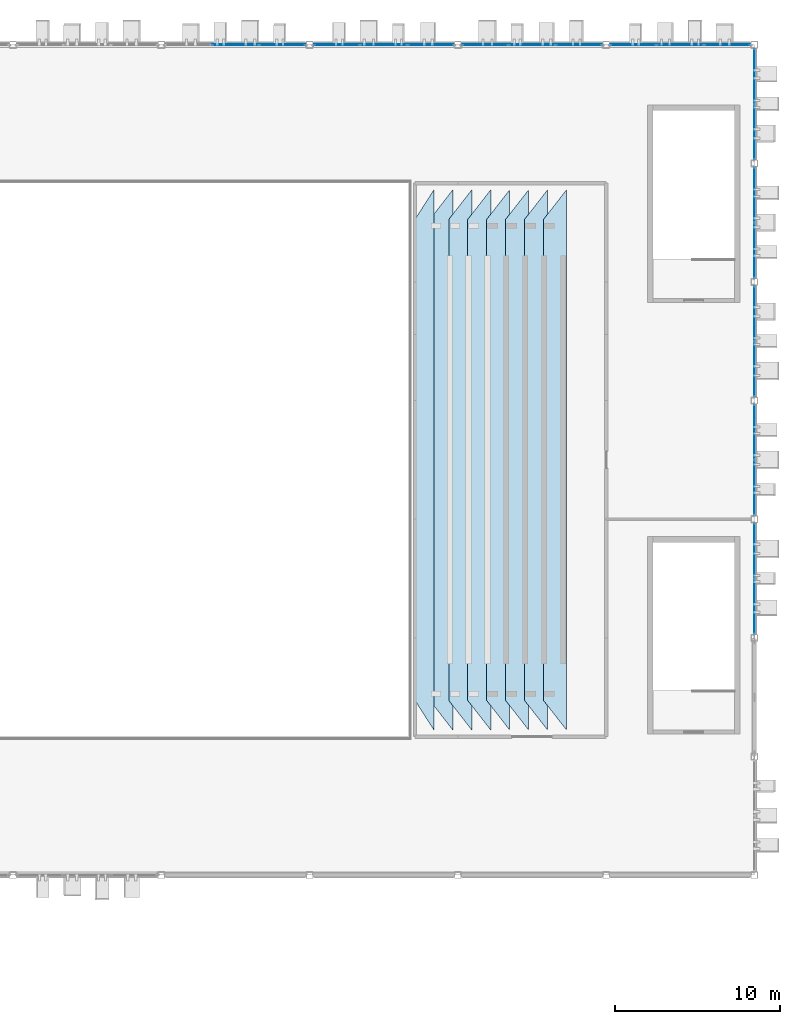
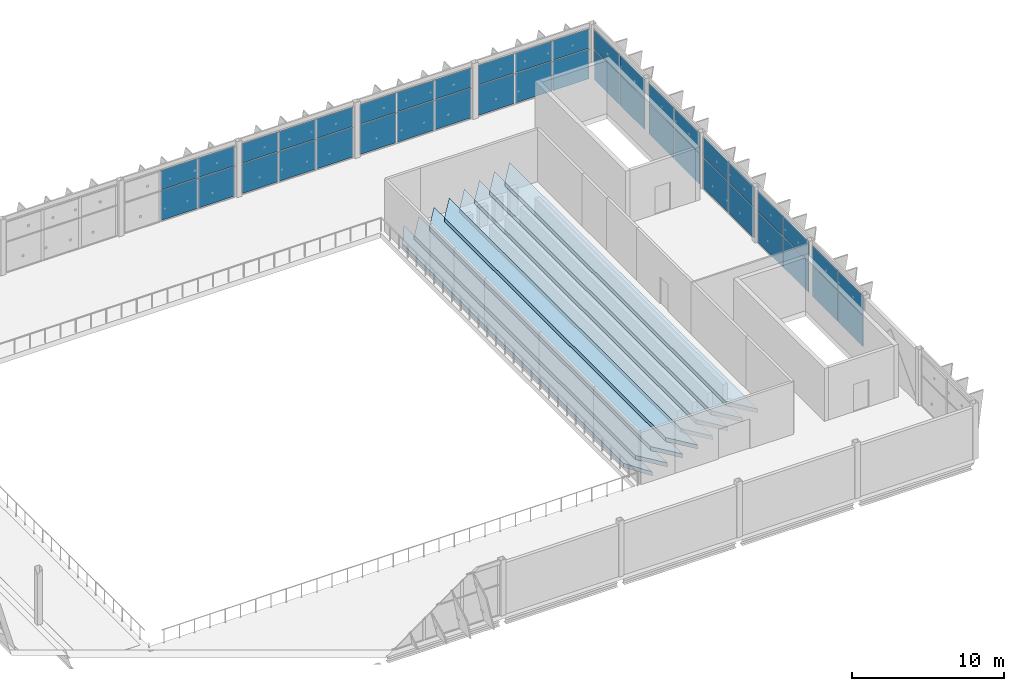
# One storey, part 93 of 151: 42 plates, 8 slabs, 9 elements without a shape of their own.
"""IFC4 building model written with IfcOpenShell, lengths in metres."""

import ifcopenshell
import ifcopenshell.guid

model = None  # the IFC model being written
_history = None  # IfcOwnerHistory: only IFC2X3 demands one
_inside = {}  # id of a spatial element -> (the spatial element, [elements in it])
_under = {}  # id of a project, library or spatial element -> (it, [spatial elements below it])
_declared = {}  # id of a project -> (the project, [libraries it declares])
_typed = {}  # id of a type object -> (the type object, [elements of that type])
_made_of = {}  # id of a material, layer set ... -> (it, [elements and type objects made of it])


def new_model(schema):
    """Start an empty IFC model of exactly this schema.

    Asked for "IFC4X3", IfcOpenShell would pick the latest addendum, in which some entities
    have other attributes; the version numbers below select the first issue.
    IFC2X3 requires an IfcOwnerHistory on every rooted entity: one is made here for all.
    """
    global model, _history
    if schema == "IFC4X3":
        model = ifcopenshell.file(schema_version=(4, 3, 0, 0))
    else:
        model = ifcopenshell.file(schema=schema)
    _inside.clear()
    _under.clear()
    _declared.clear()
    _typed.clear()
    _made_of.clear()
    _history = None
    if model.schema == "IFC2X3":
        org = make("IfcOrganization", Name="unknown")
        user = make(
            "IfcPersonAndOrganization",
            ThePerson=make("IfcPerson", FamilyName="unknown"),
            TheOrganization=org,
        )
        app = make(
            "IfcApplication",
            ApplicationDeveloper=org,
            Version="unknown",
            ApplicationFullName="unknown",
            ApplicationIdentifier="unknown",
        )
        _history = make(
            "IfcOwnerHistory",
            OwningUser=user,
            OwningApplication=app,
            ChangeAction="ADDED",
            CreationDate=0,
        )
    return model


def make(cls, **values):
    """One entity of the class cls with the attributes given. An attribute that is None is left unset."""
    return model.create_entity(
        cls, **{name: value for name, value in values.items() if value is not None}
    )


def rooted(cls, **values):
    """An entity with a GlobalId (a new one), such as an element, a storey or a relation."""
    return make(cls, GlobalId=ifcopenshell.guid.new(), OwnerHistory=_history, **values)


def si_unit(unit_type, name, prefix=None):
    """IfcSIUnit, for example si_unit("LENGTHUNIT", "METRE", prefix="MILLI")."""
    return make("IfcSIUnit", UnitType=unit_type, Prefix=prefix, Name=name)


def assignment(units):
    """IfcUnitAssignment: the units of a project."""
    return None if units is None else make("IfcUnitAssignment", Units=units)


def point(xyz):
    """IfcCartesianPoint."""
    return None if xyz is None else make("IfcCartesianPoint", Coordinates=xyz)


def direction(xyz):
    """IfcDirection."""
    return None if xyz is None else make("IfcDirection", DirectionRatios=xyz)


def frame(location, z_axis=None, x_axis=None):
    """IfcAxis2Placement3D, a coordinate frame: its origin and axes. An axis left out is left unset."""
    return make(
        "IfcAxis2Placement3D",
        Location=point(location),
        Axis=direction(z_axis),
        RefDirection=direction(x_axis),
    )


def frame_2d(location, x_axis=None):
    """IfcAxis2Placement2D, a coordinate frame in the plane: its origin and x axis."""
    return make(
        "IfcAxis2Placement2D", Location=point(location), RefDirection=direction(x_axis)
    )


def origin():
    """The frame at (0, 0, 0) with its axes left unset."""
    return frame((0.0, 0.0, 0.0))


def origin_2d():
    """The frame at (0, 0) in the plane with its x axis left unset."""
    return frame_2d((0.0, 0.0))


def place(relative_to, where):
    """IfcLocalPlacement: puts the frame where relative to a parent placement (None: the world)."""
    return make(
        "IfcLocalPlacement", PlacementRelTo=relative_to, RelativePlacement=where
    )


def context(
    kind, dimensions, precision=None, world=None, true_north=None, identifier=None
):
    """IfcGeometricRepresentationContext, for example the 3D "Model" context."""
    return make(
        "IfcGeometricRepresentationContext",
        ContextIdentifier=identifier,
        ContextType=kind,
        CoordinateSpaceDimension=dimensions,
        Precision=precision,
        WorldCoordinateSystem=world,
        TrueNorth=true_north,
    )


def subcontext(parent, identifier, kind, view, scale=None):
    """IfcGeometricRepresentationSubContext, for example "Body" below "Model"."""
    return make(
        "IfcGeometricRepresentationSubContext",
        ContextIdentifier=identifier,
        ContextType=kind,
        ParentContext=parent,
        TargetScale=scale,
        TargetView=view,
    )


def project(units=None, contexts=None):
    """IfcProject with its units and contexts."""
    return rooted(
        "IfcProject",
        Name="project",
        RepresentationContexts=contexts,
        UnitsInContext=assignment(units),
    )


def spatial(cls, under=None, at=None, **own):
    """A site, building, storey or space (cls), placed at a placement, below another one or the project."""
    s = rooted(cls, ObjectPlacement=at, **own)
    if under is not None:
        _under.setdefault(under.id(), (under, []))[1].append(s)
    return s


def polyline(points):
    """IfcPolyline through the points."""
    return make("IfcPolyline", Points=[point(p) for p in points])


def profile(cls, at=None, kind="AREA", **sizes):
    """A parametric profile (cls). Its sizes go by their IFC names, for example OverallWidth=200.0."""
    return make(cls, ProfileType=kind, Position=at, **sizes)


def rectangle(**sizes):
    """IfcRectangleProfileDef."""
    return profile("IfcRectangleProfileDef", **sizes)


def outline(outer, holes=None, kind="AREA"):
    """IfcArbitraryClosedProfileDef: a profile drawn as a closed curve; with holes, ...WithVoids."""
    if holes is None:
        return make("IfcArbitraryClosedProfileDef", ProfileType=kind, OuterCurve=outer)
    return make(
        "IfcArbitraryProfileDefWithVoids",
        ProfileType=kind,
        OuterCurve=outer,
        InnerCurves=holes,
    )


def extrude(swept, where, along, depth):
    """IfcExtrudedAreaSolid: the profile swept, set in the frame where, extruded along a direction by depth."""
    return make(
        "IfcExtrudedAreaSolid",
        SweptArea=swept,
        Position=where,
        ExtrudedDirection=direction(along),
        Depth=depth,
    )


def shape(context_of_items, identifier, shape_type, items):
    """IfcShapeRepresentation: the items that make up one representation, for example the "Body"."""
    return make(
        "IfcShapeRepresentation",
        ContextOfItems=context_of_items,
        RepresentationIdentifier=identifier,
        RepresentationType=shape_type,
        Items=items,
    )


def material(Name=None, Category=None):
    """IfcMaterial."""
    return make("IfcMaterial", Name=Name, Category=Category)


def layer(
    of_material, thickness, ventilated=None, Name=None, Category=None, Priority=None
):
    """IfcMaterialLayer: one layer of a wall or slab, of a material (None: an air gap)."""
    return make(
        "IfcMaterialLayer",
        Material=of_material,
        LayerThickness=thickness,
        IsVentilated=ventilated,
        Name=Name,
        Category=Category,
        Priority=Priority,
    )


def layer_set(layers, Name=None):
    """IfcMaterialLayerSet."""
    return make("IfcMaterialLayerSet", MaterialLayers=layers, LayerSetName=Name)


def made_of(thing, what):
    """Note that an element or type object is made of a material, layer set ...; save() writes the relation."""
    if what is not None:
        _made_of.setdefault(what.id(), (what, []))[1].append(thing)
    return thing


def type_object(cls, material=None, **own):
    """A type object (cls), such as IfcWallType, which elements share."""
    return made_of(rooted(cls, **own), material)


def element(
    cls,
    number,
    at=None,
    inside=None,
    cuts=None,
    type_object=None,
    material=None,
    context=None,
    identifier="Body",
    shape_type=None,
    held_by="IfcProductDefinitionShape",
    body=None,
    shapes=None,
    **own,
):
    """One element of the class cls, such as IfcWall. Its Tag is "e" and its number.

    at: its placement. inside: the storey or other place that contains it. cuts: it is an
    opening in that element (IfcRelVoidsElement). A single representation is given by context,
    identifier, shape_type and body (its items); several are given by shapes. held_by: the class
    of the entity that holds the representations. save() writes the other relations.
    """
    e = rooted(cls, Tag="e%d" % number, ObjectPlacement=at, **own)
    if body is not None:
        shapes = [shape(context, identifier, shape_type, body)]
    if shapes is not None:
        e.Representation = make(held_by, Representations=shapes)
    if inside is not None:
        _inside.setdefault(inside.id(), (inside, []))[1].append(e)
    if cuts is not None:
        rooted(
            "IfcRelVoidsElement", RelatingBuildingElement=cuts, RelatedOpeningElement=e
        )
    if type_object is not None:
        _typed.setdefault(type_object.id(), (type_object, []))[1].append(e)
    return made_of(e, material)


def aggregate(whole, parts):
    """IfcRelAggregates: a whole, such as a stair, and the parts it consists of."""
    return rooted("IfcRelAggregates", RelatingObject=whole, RelatedObjects=parts)


def save(model, path):
    """Write the relations noted so far, then the file.

    IfcRelAggregates (storeys below a building ...), IfcRelContainedInSpatialStructure (elements
    in a storey), IfcRelDefinesByType, IfcRelAssociatesMaterial and IfcRelDeclares: one each for
    every whole, place, type object, material and project.
    """
    for whole, parts in _under.values():
        aggregate(whole, parts)
    for where, things in _inside.values():
        rooted(
            "IfcRelContainedInSpatialStructure",
            RelatedElements=things,
            RelatingStructure=where,
        )
    for kind, things in _typed.values():
        rooted("IfcRelDefinesByType", RelatedObjects=things, RelatingType=kind)
    for what, things in _made_of.values():
        rooted("IfcRelAssociatesMaterial", RelatedObjects=things, RelatingMaterial=what)
    for by, libraries in _declared.values():
        rooted("IfcRelDeclares", RelatingContext=by, RelatedDefinitions=libraries)
    model.write(path)


model = new_model("IFC4")

# Units and contexts
model_context = context("Model", 3, precision=1e-05, world=origin(), true_north=direction((0.0, 1.0)))
body_context = subcontext(model_context, "Body", "Model", "MODEL_VIEW")
ifc_project = project(units=[si_unit("LENGTHUNIT", "METRE"), si_unit("AREAUNIT", "SQUARE_METRE"), si_unit("VOLUMEUNIT", "CUBIC_METRE"), si_unit("PLANEANGLEUNIT", "RADIAN"), si_unit("MASSUNIT", "GRAM", prefix="KILO")], contexts=[model_context])

# Site, building, storey
site_placement = place(None, origin())
site = spatial("IfcSite", under=ifc_project, at=site_placement, CompositionType="ELEMENT")
building_placement = place(site_placement, origin())
building = spatial("IfcBuilding", under=site, at=building_placement, Name="Celestram Park Convention Centre", CompositionType="ELEMENT")
storey_placement = place(building_placement, frame((0.0, 0.0, 10.800048828125)))
storey = spatial("IfcBuildingStorey", under=building, at=storey_placement, Name="L02", CompositionType="ELEMENT", Elevation=10.800048828125)

# Curtain wall, plates
ifc_material_1 = material(Name="Anodised Aluminium Alloy 6063-T6", Category="aluminium")
ifc_layer_1 = layer(ifc_material_1, 0.179931640625)
ifc_layer_set_1 = layer_set([ifc_layer_1], Name="Anodised Aluminium Alloy 6063-T6")
curtain_wall_type_1 = type_object("IfcCurtainWallType", Name="ARC-CW-680X414", PredefinedType="NOTDEFINED", material=ifc_layer_set_1)
curtain_wall_1_placement = place(storey_placement, origin())
curtain_wall_1 = element("IfcCurtainWall", 1, at=curtain_wall_1_placement, inside=storey, type_object=curtain_wall_type_1, Name="Unitised curtain wall CU-L02-170", PredefinedType="NOTDEFINED")
ifc_material_2 = material(Name="Insulated Glazing Unit 28 mm", Category="glass")
ifc_layer_2 = layer(ifc_material_2, 0.028076171875)
ifc_layer_set_2 = layer_set([ifc_layer_2], Name="Insulated Glazing Unit 28 mm")
plate_type_1 = type_object("IfcPlateType", Name="ARC-CWP-IGU28", PredefinedType="CURTAIN_PANEL", material=ifc_layer_set_2)
plate_1_placement = place(storey_placement, frame((216.0, 163.684814453125, 0.06005859375), z_axis=(0.0, 0.0, 1.0), x_axis=(0.0, -1.0, 0.0)))
plate_1 = element("IfcPlate", 2, at=plate_1_placement, type_object=plate_type_1, Name="CW-68X41 panel 1.1", PredefinedType="CURTAIN_PANEL", context=body_context, shape_type="SweptSolid", body=[
    extrude(rectangle(XDim=3.304443359375, YDim=0.028076171875, at=origin_2d()), origin(), (0.0, 0.0, 1.0), 2.39599609375),
])
plate_2_placement = place(storey_placement, frame((216.0, 163.684814453125, 2.51611328125), z_axis=(0.0, 0.0, 1.0), x_axis=(0.0, -1.0, 0.0)))
plate_2 = element("IfcPlate", 3, at=plate_2_placement, type_object=plate_type_1, Name="CW-68X41 panel 1.2", PredefinedType="CURTAIN_PANEL", context=body_context, shape_type="SweptSolid", body=[
    extrude(rectangle(XDim=3.304443359375, YDim=0.028076171875, at=origin_2d()), origin(), (0.0, 0.0, 1.0), 1.568115234375),
])
plate_3_placement = place(storey_placement, frame((216.0, 160.315185546875, 0.06005859375), z_axis=(0.0, 0.0, 1.0), x_axis=(0.0, -1.0, 0.0)))
plate_3 = element("IfcPlate", 4, at=plate_3_placement, type_object=plate_type_1, Name="CW-68X41 panel 2.1", PredefinedType="CURTAIN_PANEL", context=body_context, shape_type="SweptSolid", body=[
    extrude(rectangle(XDim=3.304443359375, YDim=0.028076171875, at=origin_2d()), origin(), (0.0, 0.0, 1.0), 2.39599609375),
])
plate_4_placement = place(storey_placement, frame((216.0, 160.315185546875, 2.51611328125), z_axis=(0.0, 0.0, 1.0), x_axis=(0.0, -1.0, 0.0)))
plate_4 = element("IfcPlate", 5, at=plate_4_placement, type_object=plate_type_1, Name="CW-68X41 panel 2.2", PredefinedType="CURTAIN_PANEL", context=body_context, shape_type="SweptSolid", body=[
    extrude(rectangle(XDim=3.304443359375, YDim=0.028076171875, at=origin_2d()), origin(), (0.0, 0.0, 1.0), 1.568115234375),
])
aggregate(curtain_wall_1, [plate_1, plate_2, plate_3, plate_4])

ifc_layer_3 = layer(ifc_material_1, 0.179931640625)
ifc_layer_set_3 = layer_set([ifc_layer_3], Name="Anodised Aluminium Alloy 6063-T6")
curtain_wall_type_2 = type_object("IfcCurtainWallType", Name="ARC-CW-680X422", PredefinedType="NOTDEFINED", material=ifc_layer_set_3)
curtain_wall_2_placement = place(storey_placement, origin())
curtain_wall_2 = element("IfcCurtainWall", 6, at=curtain_wall_2_placement, inside=storey, type_object=curtain_wall_type_2, Name="Unitised curtain wall CU-L02-171", PredefinedType="NOTDEFINED")
plate_5_placement = place(storey_placement, frame((216.0, 156.48486328125, 0.06005859375), z_axis=(0.0, 0.0, 1.0), x_axis=(0.0, -1.0, 0.0)))
plate_5 = element("IfcPlate", 7, at=plate_5_placement, type_object=plate_type_1, Name="CW-68X42 panel 1.1", PredefinedType="CURTAIN_PANEL", context=body_context, shape_type="SweptSolid", body=[
    extrude(rectangle(XDim=3.304443359375, YDim=0.028076171875, at=origin_2d()), origin(), (0.0, 0.0, 1.0), 2.44189453125),
])
plate_6_placement = place(storey_placement, frame((216.0, 156.48486328125, 2.56201171875), z_axis=(0.0, 0.0, 1.0), x_axis=(0.0, -1.0, 0.0)))
plate_6 = element("IfcPlate", 8, at=plate_6_placement, type_object=plate_type_1, Name="CW-68X42 panel 1.2", PredefinedType="CURTAIN_PANEL", context=body_context, shape_type="SweptSolid", body=[
    extrude(rectangle(XDim=3.304443359375, YDim=0.028076171875, at=origin_2d()), origin(), (0.0, 0.0, 1.0), 1.597900390625),
])
plate_7_placement = place(storey_placement, frame((216.0, 153.115234375, 0.06005859375), z_axis=(0.0, 0.0, 1.0), x_axis=(0.0, -1.0, 0.0)))
plate_7 = element("IfcPlate", 9, at=plate_7_placement, type_object=plate_type_1, Name="CW-68X42 panel 2.1", PredefinedType="CURTAIN_PANEL", context=body_context, shape_type="SweptSolid", body=[
    extrude(rectangle(XDim=3.304443359375, YDim=0.028076171875, at=origin_2d()), origin(), (0.0, 0.0, 1.0), 2.44189453125),
])
plate_8_placement = place(storey_placement, frame((216.0, 153.115234375, 2.56201171875), z_axis=(0.0, 0.0, 1.0), x_axis=(0.0, -1.0, 0.0)))
plate_8 = element("IfcPlate", 10, at=plate_8_placement, type_object=plate_type_1, Name="CW-68X42 panel 2.2", PredefinedType="CURTAIN_PANEL", context=body_context, shape_type="SweptSolid", body=[
    extrude(rectangle(XDim=3.304443359375, YDim=0.028076171875, at=origin_2d()), origin(), (0.0, 0.0, 1.0), 1.597900390625),
])
aggregate(curtain_wall_2, [plate_5, plate_6, plate_7, plate_8])

curtain_wall_3_placement = place(storey_placement, origin())
curtain_wall_3 = element("IfcCurtainWall", 11, at=curtain_wall_3_placement, inside=storey, type_object=curtain_wall_type_2, Name="Unitised curtain wall CU-L02-172", PredefinedType="NOTDEFINED")
plate_9_placement = place(storey_placement, frame((216.0, 149.28466796875, 0.06005859375), z_axis=(0.0, 0.0, 1.0), x_axis=(0.0, -1.0, 0.0)))
plate_9 = element("IfcPlate", 12, at=plate_9_placement, type_object=plate_type_1, Name="CW-68X42 panel 1.1", PredefinedType="CURTAIN_PANEL", context=body_context, shape_type="SweptSolid", body=[
    extrude(rectangle(XDim=3.304443359375, YDim=0.028076171875, at=origin_2d()), origin(), (0.0, 0.0, 1.0), 2.44189453125),
])
plate_10_placement = place(storey_placement, frame((216.0, 149.28466796875, 2.56201171875), z_axis=(0.0, 0.0, 1.0), x_axis=(0.0, -1.0, 0.0)))
plate_10 = element("IfcPlate", 13, at=plate_10_placement, type_object=plate_type_1, Name="CW-68X42 panel 1.2", PredefinedType="CURTAIN_PANEL", context=body_context, shape_type="SweptSolid", body=[
    extrude(rectangle(XDim=3.304443359375, YDim=0.028076171875, at=origin_2d()), origin(), (0.0, 0.0, 1.0), 1.597900390625),
])
plate_11_placement = place(storey_placement, frame((216.0, 145.915283203125, 0.06005859375), z_axis=(0.0, 0.0, 1.0), x_axis=(0.0, -1.0, 0.0)))
plate_11 = element("IfcPlate", 14, at=plate_11_placement, type_object=plate_type_1, Name="CW-68X42 panel 2.1", PredefinedType="CURTAIN_PANEL", context=body_context, shape_type="SweptSolid", body=[
    extrude(rectangle(XDim=3.304443359375, YDim=0.028076171875, at=origin_2d()), origin(), (0.0, 0.0, 1.0), 2.44189453125),
])
plate_12_placement = place(storey_placement, frame((216.0, 145.915283203125, 2.56201171875), z_axis=(0.0, 0.0, 1.0), x_axis=(0.0, -1.0, 0.0)))
plate_12 = element("IfcPlate", 15, at=plate_12_placement, type_object=plate_type_1, Name="CW-68X42 panel 2.2", PredefinedType="CURTAIN_PANEL", context=body_context, shape_type="SweptSolid", body=[
    extrude(rectangle(XDim=3.304443359375, YDim=0.028076171875, at=origin_2d()), origin(), (0.0, 0.0, 1.0), 1.597900390625),
])
aggregate(curtain_wall_3, [plate_9, plate_10, plate_11, plate_12])

curtain_wall_4_placement = place(storey_placement, origin())
curtain_wall_4 = element("IfcCurtainWall", 16, at=curtain_wall_4_placement, inside=storey, type_object=curtain_wall_type_2, Name="Unitised curtain wall CU-L02-173", PredefinedType="NOTDEFINED")
plate_13_placement = place(storey_placement, frame((216.0, 142.084716796875, 0.06005859375), z_axis=(0.0, 0.0, 1.0), x_axis=(0.0, -1.0, 0.0)))
plate_13 = element("IfcPlate", 17, at=plate_13_placement, type_object=plate_type_1, Name="CW-68X42 panel 1.1", PredefinedType="CURTAIN_PANEL", context=body_context, shape_type="SweptSolid", body=[
    extrude(rectangle(XDim=3.304443359375, YDim=0.028076171875, at=origin_2d()), origin(), (0.0, 0.0, 1.0), 2.44189453125),
])
plate_14_placement = place(storey_placement, frame((216.0, 142.084716796875, 2.56201171875), z_axis=(0.0, 0.0, 1.0), x_axis=(0.0, -1.0, 0.0)))
plate_14 = element("IfcPlate", 18, at=plate_14_placement, type_object=plate_type_1, Name="CW-68X42 panel 1.2", PredefinedType="CURTAIN_PANEL", context=body_context, shape_type="SweptSolid", body=[
    extrude(rectangle(XDim=3.304443359375, YDim=0.028076171875, at=origin_2d()), origin(), (0.0, 0.0, 1.0), 1.597900390625),
])
plate_15_placement = place(storey_placement, frame((216.0, 138.71533203125, 0.06005859375), z_axis=(0.0, 0.0, 1.0), x_axis=(0.0, -1.0, 0.0)))
plate_15 = element("IfcPlate", 19, at=plate_15_placement, type_object=plate_type_1, Name="CW-68X42 panel 2.1", PredefinedType="CURTAIN_PANEL", context=body_context, shape_type="SweptSolid", body=[
    extrude(rectangle(XDim=3.304443359375, YDim=0.028076171875, at=origin_2d()), origin(), (0.0, 0.0, 1.0), 2.44189453125),
])
plate_16_placement = place(storey_placement, frame((216.0, 138.71533203125, 2.56201171875), z_axis=(0.0, 0.0, 1.0), x_axis=(0.0, -1.0, 0.0)))
plate_16 = element("IfcPlate", 20, at=plate_16_placement, type_object=plate_type_1, Name="CW-68X42 panel 2.2", PredefinedType="CURTAIN_PANEL", context=body_context, shape_type="SweptSolid", body=[
    extrude(rectangle(XDim=3.304443359375, YDim=0.028076171875, at=origin_2d()), origin(), (0.0, 0.0, 1.0), 1.597900390625),
])
aggregate(curtain_wall_4, [plate_13, plate_14, plate_15, plate_16])

curtain_wall_5_placement = place(storey_placement, origin())
curtain_wall_5 = element("IfcCurtainWall", 21, at=curtain_wall_5_placement, inside=storey, type_object=curtain_wall_type_2, Name="Unitised curtain wall CU-L02-174", PredefinedType="NOTDEFINED")
plate_17_placement = place(storey_placement, frame((216.0, 134.884765625, 0.06005859375), z_axis=(0.0, 0.0, 1.0), x_axis=(0.0, -1.0, 0.0)))
plate_17 = element("IfcPlate", 22, at=plate_17_placement, type_object=plate_type_1, Name="CW-68X42 panel 1.1", PredefinedType="CURTAIN_PANEL", context=body_context, shape_type="SweptSolid", body=[
    extrude(rectangle(XDim=3.304443359375, YDim=0.028076171875, at=origin_2d()), origin(), (0.0, 0.0, 1.0), 2.44189453125),
])
plate_18_placement = place(storey_placement, frame((216.0, 134.884765625, 2.56201171875), z_axis=(0.0, 0.0, 1.0), x_axis=(0.0, -1.0, 0.0)))
plate_18 = element("IfcPlate", 23, at=plate_18_placement, type_object=plate_type_1, Name="CW-68X42 panel 1.2", PredefinedType="CURTAIN_PANEL", context=body_context, shape_type="SweptSolid", body=[
    extrude(rectangle(XDim=3.304443359375, YDim=0.028076171875, at=origin_2d()), origin(), (0.0, 0.0, 1.0), 1.597900390625),
])
plate_19_placement = place(storey_placement, frame((216.0, 131.51513671875, 0.06005859375), z_axis=(0.0, 0.0, 1.0), x_axis=(0.0, -1.0, 0.0)))
plate_19 = element("IfcPlate", 24, at=plate_19_placement, type_object=plate_type_1, Name="CW-68X42 panel 2.1", PredefinedType="CURTAIN_PANEL", context=body_context, shape_type="SweptSolid", body=[
    extrude(rectangle(XDim=3.304443359375, YDim=0.028076171875, at=origin_2d()), origin(), (0.0, 0.0, 1.0), 2.44189453125),
])
plate_20_placement = place(storey_placement, frame((216.0, 131.51513671875, 2.56201171875), z_axis=(0.0, 0.0, 1.0), x_axis=(0.0, -1.0, 0.0)))
plate_20 = element("IfcPlate", 25, at=plate_20_placement, type_object=plate_type_1, Name="CW-68X42 panel 2.2", PredefinedType="CURTAIN_PANEL", context=body_context, shape_type="SweptSolid", body=[
    extrude(rectangle(XDim=3.304443359375, YDim=0.028076171875, at=origin_2d()), origin(), (0.0, 0.0, 1.0), 1.597900390625),
])
aggregate(curtain_wall_5, [plate_17, plate_18, plate_19, plate_20])

ifc_layer_4 = layer(ifc_material_1, 0.179931640625)
ifc_layer_set_4 = layer_set([ifc_layer_4], Name="Anodised Aluminium Alloy 6063-T6")
curtain_wall_type_3 = type_object("IfcCurtainWallType", Name="ARC-CW-860X414", PredefinedType="NOTDEFINED", material=ifc_layer_set_4)
curtain_wall_6_placement = place(storey_placement, origin())
curtain_wall_6 = element("IfcCurtainWall", 26, at=curtain_wall_6_placement, inside=storey, type_object=curtain_wall_type_3, Name="Unitised curtain wall CU-L02-166", PredefinedType="NOTDEFINED")
ifc_material_3 = material(Name="Insulated Glazing Unit 38 mm", Category="glass")
ifc_layer_5 = layer(ifc_material_3, 0.0380859375)
ifc_layer_set_5 = layer_set([ifc_layer_5], Name="Insulated Glazing Unit 38 mm")
plate_type_2 = type_object("IfcPlateType", Name="ARC-CWP-IGU38", PredefinedType="CURTAIN_PANEL", material=ifc_layer_set_5)
plate_21_placement = place(storey_placement, frame((184.5, 165.60009765625, 0.06494140625), z_axis=(0.0, 0.0, 1.0), x_axis=(1.0, 0.0, 0.0)))
plate_21 = element("IfcPlate", 27, at=plate_21_placement, type_object=plate_type_2, Name="CW-86X41 panel 2.1", PredefinedType="CURTAIN_PANEL", context=body_context, shape_type="SweptSolid", body=[
    extrude(rectangle(XDim=2.79296875, YDim=0.0380859375, at=origin_2d()), origin(), (0.0, 0.0, 1.0), 2.388427734375),
])
plate_22_placement = place(storey_placement, frame((184.5, 165.60009765625, 2.518310546875), z_axis=(0.0, 0.0, 1.0), x_axis=(1.0, 0.0, 0.0)))
plate_22 = element("IfcPlate", 28, at=plate_22_placement, type_object=plate_type_2, Name="CW-86X41 panel 2.2", PredefinedType="CURTAIN_PANEL", context=body_context, shape_type="SweptSolid", body=[
    extrude(rectangle(XDim=2.79296875, YDim=0.0380859375, at=origin_2d()), origin(), (0.0, 0.0, 1.0), 1.560546875),
])
plate_23_placement = place(storey_placement, frame((187.349365234375, 165.60009765625, 0.06494140625), z_axis=(0.0, 0.0, 1.0), x_axis=(1.0, 0.0, 0.0)))
plate_23 = element("IfcPlate", 29, at=plate_23_placement, type_object=plate_type_2, Name="CW-86X41 panel 3.1", PredefinedType="CURTAIN_PANEL", context=body_context, shape_type="SweptSolid", body=[
    extrude(rectangle(XDim=2.755615234375, YDim=0.0380859375, at=origin_2d()), origin(), (0.0, 0.0, 1.0), 2.388427734375),
])
plate_24_placement = place(storey_placement, frame((187.349365234375, 165.60009765625, 2.518310546875), z_axis=(0.0, 0.0, 1.0), x_axis=(1.0, 0.0, 0.0)))
plate_24 = element("IfcPlate", 30, at=plate_24_placement, type_object=plate_type_2, Name="CW-86X41 panel 3.2", PredefinedType="CURTAIN_PANEL", context=body_context, shape_type="SweptSolid", body=[
    extrude(rectangle(XDim=2.755615234375, YDim=0.0380859375, at=origin_2d()), origin(), (0.0, 0.0, 1.0), 1.560546875),
])
aggregate(curtain_wall_6, [plate_21, plate_22, plate_23, plate_24])

curtain_wall_7_placement = place(storey_placement, origin())
curtain_wall_7 = element("IfcCurtainWall", 31, at=curtain_wall_7_placement, inside=storey, type_object=curtain_wall_type_3, Name="Unitised curtain wall CU-L02-167", PredefinedType="NOTDEFINED")
plate_25_placement = place(storey_placement, frame((190.650634765625, 165.60009765625, 0.06494140625), z_axis=(0.0, 0.0, 1.0), x_axis=(1.0, 0.0, 0.0)))
plate_25 = element("IfcPlate", 32, at=plate_25_placement, type_object=plate_type_2, Name="CW-86X41 panel 1.1", PredefinedType="CURTAIN_PANEL", context=body_context, shape_type="SweptSolid", body=[
    extrude(rectangle(XDim=2.755615234375, YDim=0.0380859375, at=origin_2d()), origin(), (0.0, 0.0, 1.0), 2.388427734375),
])
plate_26_placement = place(storey_placement, frame((190.650634765625, 165.60009765625, 2.518310546875), z_axis=(0.0, 0.0, 1.0), x_axis=(1.0, 0.0, 0.0)))
plate_26 = element("IfcPlate", 33, at=plate_26_placement, type_object=plate_type_2, Name="CW-86X41 panel 1.2", PredefinedType="CURTAIN_PANEL", context=body_context, shape_type="SweptSolid", body=[
    extrude(rectangle(XDim=2.755615234375, YDim=0.0380859375, at=origin_2d()), origin(), (0.0, 0.0, 1.0), 1.560546875),
])
plate_27_placement = place(storey_placement, frame((193.5, 165.60009765625, 0.06494140625), z_axis=(0.0, 0.0, 1.0), x_axis=(1.0, 0.0, 0.0)))
plate_27 = element("IfcPlate", 34, at=plate_27_placement, type_object=plate_type_2, Name="CW-86X41 panel 2.1", PredefinedType="CURTAIN_PANEL", context=body_context, shape_type="SweptSolid", body=[
    extrude(rectangle(XDim=2.79296875, YDim=0.0380859375, at=origin_2d()), origin(), (0.0, 0.0, 1.0), 2.388427734375),
])
plate_28_placement = place(storey_placement, frame((193.5, 165.60009765625, 2.518310546875), z_axis=(0.0, 0.0, 1.0), x_axis=(1.0, 0.0, 0.0)))
plate_28 = element("IfcPlate", 35, at=plate_28_placement, type_object=plate_type_2, Name="CW-86X41 panel 2.2", PredefinedType="CURTAIN_PANEL", context=body_context, shape_type="SweptSolid", body=[
    extrude(rectangle(XDim=2.79296875, YDim=0.0380859375, at=origin_2d()), origin(), (0.0, 0.0, 1.0), 1.560546875),
])
plate_29_placement = place(storey_placement, frame((196.349365234375, 165.60009765625, 0.06494140625), z_axis=(0.0, 0.0, 1.0), x_axis=(1.0, 0.0, 0.0)))
plate_29 = element("IfcPlate", 36, at=plate_29_placement, type_object=plate_type_2, Name="CW-86X41 panel 3.1", PredefinedType="CURTAIN_PANEL", context=body_context, shape_type="SweptSolid", body=[
    extrude(rectangle(XDim=2.755615234375, YDim=0.0380859375, at=origin_2d()), origin(), (0.0, 0.0, 1.0), 2.388427734375),
])
plate_30_placement = place(storey_placement, frame((196.349365234375, 165.60009765625, 2.518310546875), z_axis=(0.0, 0.0, 1.0), x_axis=(1.0, 0.0, 0.0)))
plate_30 = element("IfcPlate", 37, at=plate_30_placement, type_object=plate_type_2, Name="CW-86X41 panel 3.2", PredefinedType="CURTAIN_PANEL", context=body_context, shape_type="SweptSolid", body=[
    extrude(rectangle(XDim=2.755615234375, YDim=0.0380859375, at=origin_2d()), origin(), (0.0, 0.0, 1.0), 1.560546875),
])
aggregate(curtain_wall_7, [plate_25, plate_26, plate_27, plate_28, plate_29, plate_30])

curtain_wall_8_placement = place(storey_placement, origin())
curtain_wall_8 = element("IfcCurtainWall", 38, at=curtain_wall_8_placement, inside=storey, type_object=curtain_wall_type_3, Name="Unitised curtain wall CU-L02-168", PredefinedType="NOTDEFINED")
plate_31_placement = place(storey_placement, frame((199.650634765625, 165.60009765625, 0.06494140625), z_axis=(0.0, 0.0, 1.0), x_axis=(1.0, 0.0, 0.0)))
plate_31 = element("IfcPlate", 39, at=plate_31_placement, type_object=plate_type_2, Name="CW-86X41 panel 1.1", PredefinedType="CURTAIN_PANEL", context=body_context, shape_type="SweptSolid", body=[
    extrude(rectangle(XDim=2.755615234375, YDim=0.0380859375, at=origin_2d()), origin(), (0.0, 0.0, 1.0), 2.388427734375),
])
plate_32_placement = place(storey_placement, frame((199.650634765625, 165.60009765625, 2.518310546875), z_axis=(0.0, 0.0, 1.0), x_axis=(1.0, 0.0, 0.0)))
plate_32 = element("IfcPlate", 40, at=plate_32_placement, type_object=plate_type_2, Name="CW-86X41 panel 1.2", PredefinedType="CURTAIN_PANEL", context=body_context, shape_type="SweptSolid", body=[
    extrude(rectangle(XDim=2.755615234375, YDim=0.0380859375, at=origin_2d()), origin(), (0.0, 0.0, 1.0), 1.560546875),
])
plate_33_placement = place(storey_placement, frame((202.5, 165.60009765625, 0.06494140625), z_axis=(0.0, 0.0, 1.0), x_axis=(1.0, 0.0, 0.0)))
plate_33 = element("IfcPlate", 41, at=plate_33_placement, type_object=plate_type_2, Name="CW-86X41 panel 2.1", PredefinedType="CURTAIN_PANEL", context=body_context, shape_type="SweptSolid", body=[
    extrude(rectangle(XDim=2.79296875, YDim=0.0380859375, at=origin_2d()), origin(), (0.0, 0.0, 1.0), 2.388427734375),
])
plate_34_placement = place(storey_placement, frame((202.5, 165.60009765625, 2.518310546875), z_axis=(0.0, 0.0, 1.0), x_axis=(1.0, 0.0, 0.0)))
plate_34 = element("IfcPlate", 42, at=plate_34_placement, type_object=plate_type_2, Name="CW-86X41 panel 2.2", PredefinedType="CURTAIN_PANEL", context=body_context, shape_type="SweptSolid", body=[
    extrude(rectangle(XDim=2.79296875, YDim=0.0380859375, at=origin_2d()), origin(), (0.0, 0.0, 1.0), 1.560546875),
])
plate_35_placement = place(storey_placement, frame((205.349365234375, 165.60009765625, 0.06494140625), z_axis=(0.0, 0.0, 1.0), x_axis=(1.0, 0.0, 0.0)))
plate_35 = element("IfcPlate", 43, at=plate_35_placement, type_object=plate_type_2, Name="CW-86X41 panel 3.1", PredefinedType="CURTAIN_PANEL", context=body_context, shape_type="SweptSolid", body=[
    extrude(rectangle(XDim=2.755615234375, YDim=0.0380859375, at=origin_2d()), origin(), (0.0, 0.0, 1.0), 2.388427734375),
])
plate_36_placement = place(storey_placement, frame((205.349365234375, 165.60009765625, 2.518310546875), z_axis=(0.0, 0.0, 1.0), x_axis=(1.0, 0.0, 0.0)))
plate_36 = element("IfcPlate", 44, at=plate_36_placement, type_object=plate_type_2, Name="CW-86X41 panel 3.2", PredefinedType="CURTAIN_PANEL", context=body_context, shape_type="SweptSolid", body=[
    extrude(rectangle(XDim=2.755615234375, YDim=0.0380859375, at=origin_2d()), origin(), (0.0, 0.0, 1.0), 1.560546875),
])
aggregate(curtain_wall_8, [plate_31, plate_32, plate_33, plate_34, plate_35, plate_36])

curtain_wall_9_placement = place(storey_placement, origin())
curtain_wall_9 = element("IfcCurtainWall", 45, at=curtain_wall_9_placement, inside=storey, type_object=curtain_wall_type_3, Name="Unitised curtain wall CU-L02-169", PredefinedType="NOTDEFINED")
plate_37_placement = place(storey_placement, frame((208.650634765625, 165.60009765625, 0.06494140625), z_axis=(0.0, 0.0, 1.0), x_axis=(1.0, 0.0, 0.0)))
plate_37 = element("IfcPlate", 46, at=plate_37_placement, type_object=plate_type_2, Name="CW-86X41 panel 1.1", PredefinedType="CURTAIN_PANEL", context=body_context, shape_type="SweptSolid", body=[
    extrude(rectangle(XDim=2.755615234375, YDim=0.0380859375, at=origin_2d()), origin(), (0.0, 0.0, 1.0), 2.388427734375),
])
plate_38_placement = place(storey_placement, frame((208.650634765625, 165.60009765625, 2.518310546875), z_axis=(0.0, 0.0, 1.0), x_axis=(1.0, 0.0, 0.0)))
plate_38 = element("IfcPlate", 47, at=plate_38_placement, type_object=plate_type_2, Name="CW-86X41 panel 1.2", PredefinedType="CURTAIN_PANEL", context=body_context, shape_type="SweptSolid", body=[
    extrude(rectangle(XDim=2.755615234375, YDim=0.0380859375, at=origin_2d()), origin(), (0.0, 0.0, 1.0), 1.560546875),
])
plate_39_placement = place(storey_placement, frame((211.5, 165.60009765625, 0.06494140625), z_axis=(0.0, 0.0, 1.0), x_axis=(1.0, 0.0, 0.0)))
plate_39 = element("IfcPlate", 48, at=plate_39_placement, type_object=plate_type_2, Name="CW-86X41 panel 2.1", PredefinedType="CURTAIN_PANEL", context=body_context, shape_type="SweptSolid", body=[
    extrude(rectangle(XDim=2.79296875, YDim=0.0380859375, at=origin_2d()), origin(), (0.0, 0.0, 1.0), 2.388427734375),
])
plate_40_placement = place(storey_placement, frame((211.5, 165.60009765625, 2.518310546875), z_axis=(0.0, 0.0, 1.0), x_axis=(1.0, 0.0, 0.0)))
plate_40 = element("IfcPlate", 49, at=plate_40_placement, type_object=plate_type_2, Name="CW-86X41 panel 2.2", PredefinedType="CURTAIN_PANEL", context=body_context, shape_type="SweptSolid", body=[
    extrude(rectangle(XDim=2.79296875, YDim=0.0380859375, at=origin_2d()), origin(), (0.0, 0.0, 1.0), 1.560546875),
])
plate_41_placement = place(storey_placement, frame((214.349365234375, 165.60009765625, 0.06494140625), z_axis=(0.0, 0.0, 1.0), x_axis=(1.0, 0.0, 0.0)))
plate_41 = element("IfcPlate", 50, at=plate_41_placement, type_object=plate_type_2, Name="CW-86X41 panel 3.1", PredefinedType="CURTAIN_PANEL", context=body_context, shape_type="SweptSolid", body=[
    extrude(rectangle(XDim=2.755615234375, YDim=0.0380859375, at=origin_2d()), origin(), (0.0, 0.0, 1.0), 2.388427734375),
])
plate_42_placement = place(storey_placement, frame((214.349365234375, 165.60009765625, 2.518310546875), z_axis=(0.0, 0.0, 1.0), x_axis=(1.0, 0.0, 0.0)))
plate_42 = element("IfcPlate", 51, at=plate_42_placement, type_object=plate_type_2, Name="CW-86X41 panel 3.2", PredefinedType="CURTAIN_PANEL", context=body_context, shape_type="SweptSolid", body=[
    extrude(rectangle(XDim=2.755615234375, YDim=0.0380859375, at=origin_2d()), origin(), (0.0, 0.0, 1.0), 1.560546875),
])
aggregate(curtain_wall_9, [plate_37, plate_38, plate_39, plate_40, plate_41, plate_42])

# Slabs
ifc_material_4 = material(Name="Concrete C35/45", Category="concrete")
ifc_layer_6 = layer(ifc_material_4, 0.320068359375)
ifc_layer_set_6 = layer_set([ifc_layer_6], Name="Concrete C35/45")
slab_type = type_object("IfcSlabType", Name="STR-SLB-TIER320", PredefinedType="USERDEFINED", material=ifc_layer_set_6)
slab_1_placement = place(storey_placement, origin())
element("IfcSlab", 52, at=slab_1_placement, inside=storey, type_object=slab_type, Name="Plenary balcony seating tier 1", ObjectType="SEATING_TIER", PredefinedType="USERDEFINED", context=body_context, shape_type="SweptSolid", body=[
    extrude(outline(polyline([(195.39990234375, 125.800048828125), (196.550048828125, 124.0), (196.550048828125, 156.800048828125), (195.39990234375, 155.0), (195.39990234375, 125.800048828125)])), origin(), (0.0, 0.0, 1.0), 0.320068359375),
])
slab_2_placement = place(storey_placement, frame((0.0, 0.0, 0.320068359375)))
element("IfcSlab", 53, at=slab_2_placement, inside=storey, type_object=slab_type, Name="Plenary balcony seating tier 2", ObjectType="SEATING_TIER", PredefinedType="USERDEFINED", context=body_context, shape_type="SweptSolid", body=[
    extrude(outline(polyline([(196.300048828125, 125.800048828125), (197.699951171875, 124.0), (197.699951171875, 156.800048828125), (196.300048828125, 155.0), (196.300048828125, 125.800048828125)])), origin(), (0.0, 0.0, 1.0), 0.31982421875),
])
slab_3_placement = place(storey_placement, frame((0.0, 0.0, 0.639892578125)))
element("IfcSlab", 54, at=slab_3_placement, inside=storey, type_object=slab_type, Name="Plenary balcony seating tier 3", ObjectType="SEATING_TIER", PredefinedType="USERDEFINED", context=body_context, shape_type="SweptSolid", body=[
    extrude(outline(polyline([(197.449951171875, 125.800048828125), (198.85009765625, 124.0), (198.85009765625, 156.800048828125), (197.449951171875, 155.0), (197.449951171875, 125.800048828125)])), origin(), (0.0, 0.0, 1.0), 0.320068359375),
])
slab_4_placement = place(storey_placement, frame((0.0, 0.0, 0.9599609375)))
element("IfcSlab", 55, at=slab_4_placement, inside=storey, type_object=slab_type, Name="Plenary balcony seating tier 4", ObjectType="SEATING_TIER", PredefinedType="USERDEFINED", context=body_context, shape_type="SweptSolid", body=[
    extrude(outline(polyline([(198.60009765625, 125.800048828125), (200.0, 124.0), (200.0, 156.800048828125), (198.60009765625, 155.0), (198.60009765625, 125.800048828125)])), origin(), (0.0, 0.0, 1.0), 0.320068359375),
])
slab_5_placement = place(storey_placement, frame((0.0, 0.0, 1.280029296875)))
element("IfcSlab", 56, at=slab_5_placement, inside=storey, type_object=slab_type, Name="Plenary balcony seating tier 5", ObjectType="SEATING_TIER", PredefinedType="USERDEFINED", context=body_context, shape_type="SweptSolid", body=[
    extrude(outline(polyline([(199.75, 125.800048828125), (201.14990234375, 124.0), (201.14990234375, 156.800048828125), (199.75, 155.0), (199.75, 125.800048828125)])), origin(), (0.0, 0.0, 1.0), 0.31982421875),
])
slab_6_placement = place(storey_placement, frame((0.0, 0.0, 1.599853515625)))
element("IfcSlab", 57, at=slab_6_placement, inside=storey, type_object=slab_type, Name="Plenary balcony seating tier 6", ObjectType="SEATING_TIER", PredefinedType="USERDEFINED", context=body_context, shape_type="SweptSolid", body=[
    extrude(outline(polyline([(200.89990234375, 125.800048828125), (202.300048828125, 124.0), (202.300048828125, 156.800048828125), (200.89990234375, 155.0), (200.89990234375, 125.800048828125)])), origin(), (0.0, 0.0, 1.0), 0.320068359375),
])
slab_7_placement = place(storey_placement, frame((0.0, 0.0, 1.919921875)))
element("IfcSlab", 58, at=slab_7_placement, inside=storey, type_object=slab_type, Name="Plenary balcony seating tier 7", ObjectType="SEATING_TIER", PredefinedType="USERDEFINED", context=body_context, shape_type="SweptSolid", body=[
    extrude(outline(polyline([(202.050048828125, 125.800048828125), (203.449951171875, 124.0), (203.449951171875, 156.800048828125), (202.050048828125, 155.0), (202.050048828125, 125.800048828125)])), origin(), (0.0, 0.0, 1.0), 0.320068359375),
])
slab_8_placement = place(storey_placement, frame((0.0, 0.0, 2.239990234375)))
element("IfcSlab", 59, at=slab_8_placement, inside=storey, type_object=slab_type, Name="Plenary balcony seating tier 8", ObjectType="SEATING_TIER", PredefinedType="USERDEFINED", context=body_context, shape_type="SweptSolid", body=[
    extrude(outline(polyline([(203.199951171875, 125.800048828125), (204.60009765625, 124.0), (204.60009765625, 156.800048828125), (203.199951171875, 155.0), (203.199951171875, 125.800048828125)])), origin(), (0.0, 0.0, 1.0), 0.320068359375),
])

save(model, "model.ifc")
